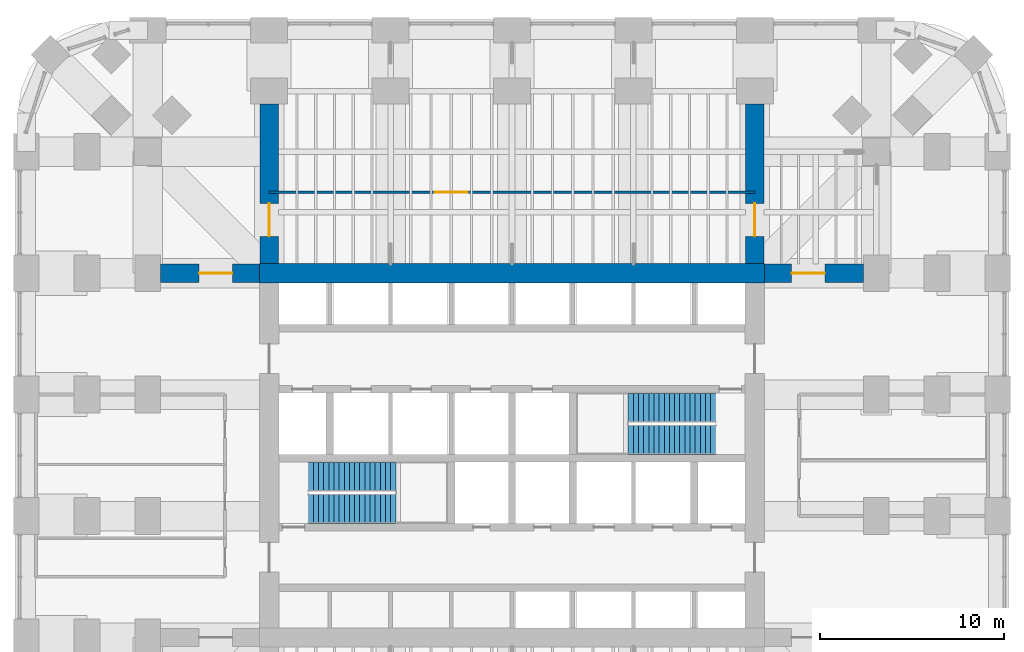
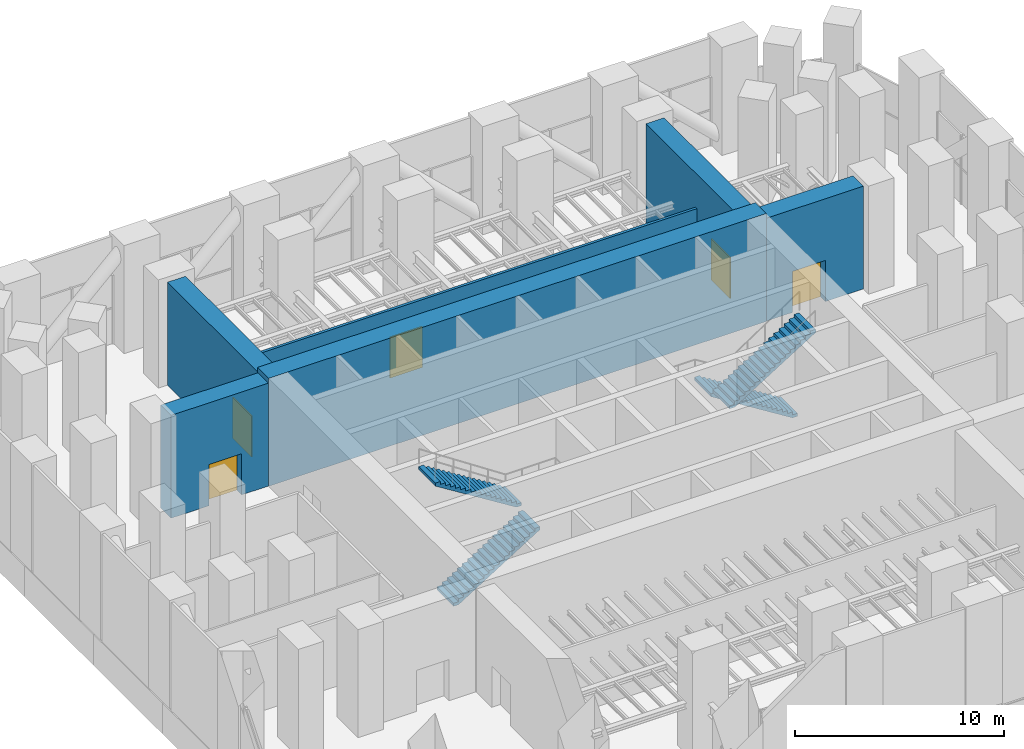
# One storey, part 15 of 17: 6 walls, 5 doors, 4 stair flights, 5 openings, 2 elements without a shape of their own.
"""IFC4 building model written with IfcOpenShell, lengths in metres."""

from ifc_helpers import new_model, si_unit, direction, frame, frame_2d, origin, place, context, subcontext, project, spatial, polyline, rectangle, outline, extrude, material, layer, layer_set, type_object, element, fill, aggregate, save


model = new_model("IFC4")

# Units and contexts
model_context = context("Model", 3, precision=1e-05, world=origin(), true_north=direction((0.0, 1.0)))
body_context = subcontext(model_context, "Body", "Model", "MODEL_VIEW")
ifc_project = project(units=[si_unit("LENGTHUNIT", "METRE"), si_unit("AREAUNIT", "SQUARE_METRE"), si_unit("VOLUMEUNIT", "CUBIC_METRE"), si_unit("PLANEANGLEUNIT", "RADIAN"), si_unit("MASSUNIT", "GRAM", prefix="KILO")], contexts=[model_context])

# Site, building, storey
site_placement = place(None, origin())
site = spatial("IfcSite", under=ifc_project, at=site_placement, CompositionType="ELEMENT")
building_placement = place(site_placement, origin())
building = spatial("IfcBuilding", under=site, at=building_placement, Name="Cobogo Forest Laboratory Tower", CompositionType="ELEMENT")
storey_placement = place(building_placement, frame((0.0, 0.0, 75.89990234375)))
storey = spatial("IfcBuildingStorey", under=building, at=storey_placement, Name="L17", CompositionType="ELEMENT", Elevation=75.89990234375)

# Wall
ifc_material_1 = material(Name="Concrete HA-50 (C50/60)", Category="concrete")
ifc_layer_1 = layer(ifc_material_1, 1.050048828125)
ifc_layer_set_1 = layer_set([ifc_layer_1], Name="CW1050 core outer wall 1050")
wall_type_1 = type_object("IfcWallType", Name="CW1050 core outer wall 1050", PredefinedType="SHEAR", material=ifc_layer_set_1)
wall_1_placement = place(storey_placement, frame((40.125, 33.0, 0.0), z_axis=(0.0, 0.0, 1.0), x_axis=(-1.0, 0.0, 0.0)))
element("IfcWall", 1, at=wall_1_placement, inside=storey, type_object=wall_type_1, Name="Core wall CO-N L17", PredefinedType="SHEAR", context=body_context, shape_type="SweptSolid", body=[
    extrude(rectangle(XDim=27.449951171875, YDim=1.050048828125, at=frame_2d((13.72509765625, 0.0))), origin(), (0.0, 0.0, 1.0), 6.300048828125),
])

# Wall, opening, door
ifc_layer_2 = layer(ifc_material_1, 1.0)
ifc_layer_set_2 = layer_set([ifc_layer_2], Name="Outrigger wall 1000")
wall_type_2 = type_object("IfcWallType", Name="Outrigger wall 1000", PredefinedType="SHEAR", material=ifc_layer_set_2)
wall_2_placement = place(storey_placement, frame((13.199951171875, 33.52490234375, 0.0), z_axis=(0.0, 0.0, 1.0), x_axis=(0.0, 1.0, 0.0)))
wall_2 = element("IfcWall", 2, at=wall_2_placement, inside=storey, type_object=wall_type_2, Name="Outrigger wall OR-N3 L17", PredefinedType="SHEAR", context=body_context, shape_type="SweptSolid", body=[
    extrude(rectangle(XDim=8.675048828125, YDim=1.0, at=frame_2d((4.33740234375, 0.0))), origin(), (0.0, 0.0, 1.0), 6.0),
])
opening_1_placement = place(wall_2_placement, frame((1.47509765625, 0.0, 0.0)))
opening_1 = element("IfcOpeningElement", 3, at=opening_1_placement, cuts=wall_2, Name="Opening L17-D21", PredefinedType="OPENING", context=body_context, shape_type="SweptSolid", body=[
    extrude(rectangle(XDim=1.800048828125, YDim=2.39990234375, at=frame_2d((0.89990234375, 1.199951171875))), frame((0.0, 0.510009765625, 0.0), z_axis=(0.0, -1.0, 0.0), x_axis=(1.0, 0.0, 0.0)), (0.0, 0.0, 1.0), 1.02001953125),
])
ifc_material_2 = material(Name="Steel fire door", Category="steel")
door_type = type_object("IfcDoorType", Name="PD1 plant door pair 1800 EI2 60", OperationType="DOUBLE_DOOR_SINGLE_SWING", PredefinedType="DOOR", material=ifc_material_2)
door_1_placement = place(opening_1_placement, origin())
door_1 = element("IfcDoor", 4, at=door_1_placement, inside=storey, type_object=door_type, Name="Door L17-OR-N3", OperationType="DOUBLE_DOOR_SINGLE_SWING", OverallHeight=2.39990234375, OverallWidth=1.800048828125, PredefinedType="DOOR", context=body_context, shape_type="SweptSolid", body=[
    extrude(rectangle(XDim=1.800048828125, YDim=2.39990234375, at=frame_2d((0.89990234375, 1.199951171875))), frame((0.0, 0.02490234375, 0.0), z_axis=(0.0, -1.0, 0.0), x_axis=(1.0, 0.0, 0.0)), (0.0, 0.0, 1.0), 0.050048828125),
])
fill(opening_1, door_1)

wall_3_placement = place(storey_placement, frame((39.60009765625, 33.52490234375, 0.0), z_axis=(0.0, 0.0, 1.0), x_axis=(0.0, 1.0, 0.0)))
wall_3 = element("IfcWall", 5, at=wall_3_placement, inside=storey, type_object=wall_type_2, Name="Outrigger wall OR-N7 L17", PredefinedType="SHEAR", context=body_context, shape_type="SweptSolid", body=[
    extrude(rectangle(XDim=8.675048828125, YDim=1.0, at=frame_2d((4.33740234375, 0.0))), origin(), (0.0, 0.0, 1.0), 6.0),
])
opening_2_placement = place(wall_3_placement, frame((1.47509765625, 0.0, 0.0)))
opening_2 = element("IfcOpeningElement", 6, at=opening_2_placement, cuts=wall_3, Name="Opening L17-D22", PredefinedType="OPENING", context=body_context, shape_type="SweptSolid", body=[
    extrude(rectangle(XDim=1.800048828125, YDim=2.39990234375, at=frame_2d((0.89990234375, 1.199951171875))), frame((0.0, 0.510009765625, 0.0), z_axis=(0.0, -1.0, 0.0), x_axis=(1.0, 0.0, 0.0)), (0.0, 0.0, 1.0), 1.02001953125),
])
door_2_placement = place(opening_2_placement, origin())
door_2 = element("IfcDoor", 7, at=door_2_placement, inside=storey, type_object=door_type, Name="Door L17-OR-N7", OperationType="DOUBLE_DOOR_SINGLE_SWING", OverallHeight=2.39990234375, OverallWidth=1.800048828125, PredefinedType="DOOR", context=body_context, shape_type="SweptSolid", body=[
    extrude(rectangle(XDim=1.800048828125, YDim=2.39990234375, at=frame_2d((0.89990234375, 1.199951171875))), frame((0.0, 0.02490234375, 0.0), z_axis=(0.0, -1.0, 0.0), x_axis=(1.0, 0.0, 0.0)), (0.0, 0.0, 1.0), 0.050048828125),
])
fill(opening_2, door_2)

wall_4_placement = place(storey_placement, frame((12.675048828125, 33.0, 0.0), z_axis=(0.0, 0.0, 1.0), x_axis=(-1.0, 0.0, 0.0)))
wall_4 = element("IfcWall", 8, at=wall_4_placement, inside=storey, type_object=wall_type_2, Name="Outrigger wall OR-WF L17", PredefinedType="SHEAR", context=body_context, shape_type="SweptSolid", body=[
    extrude(rectangle(XDim=5.375, YDim=1.0, at=frame_2d((2.6875, 0.0))), origin(), (0.0, 0.0, 1.0), 6.0),
])
opening_3_placement = place(wall_4_placement, frame((1.47509765625, 0.0, 0.0)))
opening_3 = element("IfcOpeningElement", 9, at=opening_3_placement, cuts=wall_4, Name="Opening L17-D19", PredefinedType="OPENING", context=body_context, shape_type="SweptSolid", body=[
    extrude(rectangle(XDim=1.800048828125, YDim=2.39990234375, at=frame_2d((0.89990234375, 1.199951171875))), frame((0.0, 0.510009765625, 0.0), z_axis=(0.0, -1.0, 0.0), x_axis=(1.0, 0.0, 0.0)), (0.0, 0.0, 1.0), 1.02001953125),
])
door_3_placement = place(opening_3_placement, origin())
door_3 = element("IfcDoor", 10, at=door_3_placement, inside=storey, type_object=door_type, Name="Door L17-OR-WF", OperationType="DOUBLE_DOOR_SINGLE_SWING", OverallHeight=2.39990234375, OverallWidth=1.800048828125, PredefinedType="DOOR", context=body_context, shape_type="SweptSolid", body=[
    extrude(rectangle(XDim=1.800048828125, YDim=2.39990234375, at=frame_2d((0.89990234375, 1.199951171875))), frame((0.0, 0.02490234375, 0.0), z_axis=(0.0, -1.0, 0.0), x_axis=(1.0, 0.0, 0.0)), (0.0, 0.0, 1.0), 0.050048828125),
])
fill(opening_3, door_3)

wall_5_placement = place(storey_placement, frame((40.125, 33.0, 0.0), z_axis=(0.0, 0.0, 1.0), x_axis=(1.0, 0.0, 0.0)))
wall_5 = element("IfcWall", 11, at=wall_5_placement, inside=storey, type_object=wall_type_2, Name="Outrigger wall OR-EF L17", PredefinedType="SHEAR", context=body_context, shape_type="SweptSolid", body=[
    extrude(rectangle(XDim=5.375, YDim=1.0, at=frame_2d((2.6875, 0.0))), origin(), (0.0, 0.0, 1.0), 6.0),
])
opening_4_placement = place(wall_5_placement, frame((1.47509765625, 0.0, 0.0)))
opening_4 = element("IfcOpeningElement", 12, at=opening_4_placement, cuts=wall_5, Name="Opening L17-D20", PredefinedType="OPENING", context=body_context, shape_type="SweptSolid", body=[
    extrude(rectangle(XDim=1.800048828125, YDim=2.39990234375, at=frame_2d((0.89990234375, 1.199951171875))), frame((0.0, 0.510009765625, 0.0), z_axis=(0.0, -1.0, 0.0), x_axis=(1.0, 0.0, 0.0)), (0.0, 0.0, 1.0), 1.02001953125),
])
door_4_placement = place(opening_4_placement, origin())
door_4 = element("IfcDoor", 13, at=door_4_placement, inside=storey, type_object=door_type, Name="Door L17-OR-EF", OperationType="DOUBLE_DOOR_SINGLE_SWING", OverallHeight=2.39990234375, OverallWidth=1.800048828125, PredefinedType="DOOR", context=body_context, shape_type="SweptSolid", body=[
    extrude(rectangle(XDim=1.800048828125, YDim=2.39990234375, at=frame_2d((0.89990234375, 1.199951171875))), frame((0.0, 0.02490234375, 0.0), z_axis=(0.0, -1.0, 0.0), x_axis=(1.0, 0.0, 0.0)), (0.0, 0.0, 1.0), 0.050048828125),
])
fill(opening_4, door_4)

ifc_material_3 = material(Name="Gypsum board on steel studs", Category="steel")
ifc_layer_3 = layer(ifc_material_3, 0.14990234375)
ifc_layer_set_3 = layer_set([ifc_layer_3], Name="PT1 laboratory partition 150")
wall_type_3 = type_object("IfcWallType", Name="PT1 laboratory partition 150", PredefinedType="PARTITIONING", material=ifc_layer_set_3)
wall_6_placement = place(storey_placement, frame((13.199951171875, 37.39990234375, 0.0), z_axis=(0.0, 0.0, 1.0), x_axis=(1.0, 0.0, 0.0)))
wall_6 = element("IfcWall", 14, at=wall_6_placement, inside=storey, type_object=wall_type_3, Name="Partition PL-N L17", PredefinedType="PARTITIONING", context=body_context, shape_type="SweptSolid", body=[
    extrude(rectangle(XDim=26.400146484375, YDim=0.14990234375, at=frame_2d((13.2001953125, 0.0))), origin(), (0.0, 0.0, 1.0), 4.0),
])
opening_5_placement = place(wall_6_placement, frame((9.0, 0.0, 0.0)))
opening_5 = element("IfcOpeningElement", 15, at=opening_5_placement, cuts=wall_6, Name="Opening L17-D23", PredefinedType="OPENING", context=body_context, shape_type="SweptSolid", body=[
    extrude(rectangle(XDim=1.800048828125, YDim=2.39990234375, at=frame_2d((0.89990234375, 1.199951171875))), frame((0.0, 0.0849609375, 0.0), z_axis=(0.0, -1.0, 0.0), x_axis=(1.0, 0.0, 0.0)), (0.0, 0.0, 1.0), 0.169921875),
])
door_5_placement = place(opening_5_placement, origin())
door_5 = element("IfcDoor", 16, at=door_5_placement, inside=storey, type_object=door_type, Name="Door L17-NI", OperationType="DOUBLE_DOOR_SINGLE_SWING", OverallHeight=2.39990234375, OverallWidth=1.800048828125, PredefinedType="DOOR", context=body_context, shape_type="SweptSolid", body=[
    extrude(rectangle(XDim=1.800048828125, YDim=2.39990234375, at=frame_2d((0.89990234375, 1.199951171875))), frame((0.0, 0.02490234375, 0.0), z_axis=(0.0, -1.0, 0.0), x_axis=(1.0, 0.0, 0.0)), (0.0, 0.0, 1.0), 0.050048828125),
])
fill(opening_5, door_5)

# Stair, stair flights
ifc_material_4 = material(Name="Precast concrete HA-40 (C40/50)", Category="concrete")
stair_type = type_object("IfcStairType", Name="ST36 exit stair 36 risers", PredefinedType="HALF_TURN_STAIR", material=ifc_material_4)
stair_1_placement = place(storey_placement, origin())
stair_1 = element("IfcStair", 17, at=stair_1_placement, inside=storey, type_object=stair_type, Name="Stair 1 L17 to L18", PredefinedType="HALF_TURN_STAIR")
stair_flight_type = type_object("IfcStairFlightType", Name="ST stair flight 280 going", PredefinedType="STRAIGHT", material=ifc_material_4)
stair_flight_1_placement = place(storey_placement, frame((15.324951171875, 20.199951171875, 0.0), z_axis=(0.0, 0.0, 1.0), x_axis=(1.0, 0.0, 0.0)))
stair_flight_1 = element("IfcStairFlight", 18, at=stair_flight_1_placement, type_object=stair_flight_type, Name="ST1 flight 1", NumberOfRisers=18, NumberOfTreads=17, PredefinedType="STRAIGHT", RiserHeight=0.175, TreadLength=0.28, context=body_context, shape_type="SweptSolid", body=[
    extrude(outline(polyline([(0.0, 0.0), (0.0, 0.175048828125), (0.280029296875, 0.175048828125), (0.280029296875, 0.35009765625), (0.56005859375, 0.35009765625), (0.56005859375, 0.52490234375), (0.840087890625, 0.52490234375), (0.840087890625, 0.699951171875), (1.1201171875, 0.699951171875), (1.1201171875, 0.875), (1.39990234375, 0.875), (1.39990234375, 1.050048828125), (1.679931640625, 1.050048828125), (1.679931640625, 1.22509765625), (1.9599609375, 1.22509765625), (1.9599609375, 1.39990234375), (2.239990234375, 1.39990234375), (2.239990234375, 1.574951171875), (2.52001953125, 1.574951171875), (2.52001953125, 1.75), (2.800048828125, 1.75), (2.800048828125, 1.925048828125), (3.080078125, 1.925048828125), (3.080078125, 2.10009765625), (3.360107421875, 2.10009765625), (3.360107421875, 2.27490234375), (3.639892578125, 2.27490234375), (3.639892578125, 2.449951171875), (3.919921875, 2.449951171875), (3.919921875, 2.625), (4.199951171875, 2.625), (4.199951171875, 2.800048828125), (4.47998046875, 2.800048828125), (4.47998046875, 2.97509765625), (4.760009765625, 2.97509765625), (4.760009765625, 3.14990234375), (4.760009765625, 2.79833984375), (0.28271484375, 0.0), (0.0, 0.0)])), frame((0.0, 0.800048828125, 0.0), z_axis=(0.0, -1.0, 0.0), x_axis=(1.0, 0.0, 0.0)), (0.0, 0.0, 1.0), 1.60009765625),
])
stair_flight_2_placement = place(storey_placement, frame((20.0849609375, 21.949951171875, 3.150146484375), z_axis=(0.0, 0.0, 1.0), x_axis=(-1.0, 0.0, 0.0)))
stair_flight_2 = element("IfcStairFlight", 19, at=stair_flight_2_placement, type_object=stair_flight_type, Name="ST1 flight 2", NumberOfRisers=18, NumberOfTreads=17, PredefinedType="STRAIGHT", RiserHeight=0.175, TreadLength=0.28, context=body_context, shape_type="SweptSolid", body=[
    extrude(outline(polyline([(0.0, 0.0), (0.0, 0.175048828125), (0.280029296875, 0.175048828125), (0.280029296875, 0.35009765625), (0.56005859375, 0.35009765625), (0.56005859375, 0.52490234375), (0.840087890625, 0.52490234375), (0.840087890625, 0.699951171875), (1.1201171875, 0.699951171875), (1.1201171875, 0.875), (1.39990234375, 0.875), (1.39990234375, 1.050048828125), (1.679931640625, 1.050048828125), (1.679931640625, 1.22509765625), (1.9599609375, 1.22509765625), (1.9599609375, 1.39990234375), (2.239990234375, 1.39990234375), (2.239990234375, 1.574951171875), (2.52001953125, 1.574951171875), (2.52001953125, 1.75), (2.800048828125, 1.75), (2.800048828125, 1.925048828125), (3.080078125, 1.925048828125), (3.080078125, 2.10009765625), (3.360107421875, 2.10009765625), (3.360107421875, 2.27490234375), (3.639892578125, 2.27490234375), (3.639892578125, 2.449951171875), (3.919921875, 2.449951171875), (3.919921875, 2.625), (4.199951171875, 2.625), (4.199951171875, 2.800048828125), (4.47998046875, 2.800048828125), (4.47998046875, 2.97509765625), (4.760009765625, 2.97509765625), (4.760009765625, 3.14990234375), (4.760009765625, 2.79833984375), (0.28271484375, 0.0), (0.0, 0.0)])), frame((0.0, 0.800048828125, 0.0), z_axis=(0.0, -1.0, 0.0), x_axis=(1.0, 0.0, 0.0)), (0.0, 0.0, 1.0), 1.60009765625),
])
aggregate(stair_1, [stair_flight_1, stair_flight_2])

stair_2_placement = place(storey_placement, origin())
stair_2 = element("IfcStair", 20, at=stair_2_placement, inside=storey, type_object=stair_type, Name="Stair 2 L17 to L18", PredefinedType="HALF_TURN_STAIR")
stair_flight_3_placement = place(storey_placement, frame((37.47509765625, 25.699951171875, 0.0), z_axis=(0.0, 0.0, 1.0), x_axis=(-1.0, 0.0, 0.0)))
stair_flight_3 = element("IfcStairFlight", 21, at=stair_flight_3_placement, type_object=stair_flight_type, Name="ST2 flight 1", NumberOfRisers=18, NumberOfTreads=17, PredefinedType="STRAIGHT", RiserHeight=0.175, TreadLength=0.28, context=body_context, shape_type="SweptSolid", body=[
    extrude(outline(polyline([(0.0, 0.0), (0.0, 0.175048828125), (0.280029296875, 0.175048828125), (0.280029296875, 0.35009765625), (0.56005859375, 0.35009765625), (0.56005859375, 0.52490234375), (0.840087890625, 0.52490234375), (0.840087890625, 0.699951171875), (1.1201171875, 0.699951171875), (1.1201171875, 0.875), (1.39990234375, 0.875), (1.39990234375, 1.050048828125), (1.679931640625, 1.050048828125), (1.679931640625, 1.22509765625), (1.9599609375, 1.22509765625), (1.9599609375, 1.39990234375), (2.239990234375, 1.39990234375), (2.239990234375, 1.574951171875), (2.52001953125, 1.574951171875), (2.52001953125, 1.75), (2.800048828125, 1.75), (2.800048828125, 1.925048828125), (3.080078125, 1.925048828125), (3.080078125, 2.10009765625), (3.360107421875, 2.10009765625), (3.360107421875, 2.27490234375), (3.639892578125, 2.27490234375), (3.639892578125, 2.449951171875), (3.919921875, 2.449951171875), (3.919921875, 2.625), (4.199951171875, 2.625), (4.199951171875, 2.800048828125), (4.47998046875, 2.800048828125), (4.47998046875, 2.97509765625), (4.760009765625, 2.97509765625), (4.760009765625, 3.14990234375), (4.760009765625, 2.79833984375), (0.28271484375, 0.0), (0.0, 0.0)])), frame((0.0, 0.800048828125, 0.0), z_axis=(0.0, -1.0, 0.0), x_axis=(1.0, 0.0, 0.0)), (0.0, 0.0, 1.0), 1.60009765625),
])
stair_flight_4_placement = place(storey_placement, frame((32.715087890625, 23.949951171875, 3.150146484375), z_axis=(0.0, 0.0, 1.0), x_axis=(1.0, 0.0, 0.0)))
stair_flight_4 = element("IfcStairFlight", 22, at=stair_flight_4_placement, type_object=stair_flight_type, Name="ST2 flight 2", NumberOfRisers=18, NumberOfTreads=17, PredefinedType="STRAIGHT", RiserHeight=0.175, TreadLength=0.28, context=body_context, shape_type="SweptSolid", body=[
    extrude(outline(polyline([(0.0, 0.0), (0.0, 0.175048828125), (0.280029296875, 0.175048828125), (0.280029296875, 0.35009765625), (0.56005859375, 0.35009765625), (0.56005859375, 0.52490234375), (0.840087890625, 0.52490234375), (0.840087890625, 0.699951171875), (1.1201171875, 0.699951171875), (1.1201171875, 0.875), (1.39990234375, 0.875), (1.39990234375, 1.050048828125), (1.679931640625, 1.050048828125), (1.679931640625, 1.22509765625), (1.9599609375, 1.22509765625), (1.9599609375, 1.39990234375), (2.239990234375, 1.39990234375), (2.239990234375, 1.574951171875), (2.52001953125, 1.574951171875), (2.52001953125, 1.75), (2.800048828125, 1.75), (2.800048828125, 1.925048828125), (3.080078125, 1.925048828125), (3.080078125, 2.10009765625), (3.360107421875, 2.10009765625), (3.360107421875, 2.27490234375), (3.639892578125, 2.27490234375), (3.639892578125, 2.449951171875), (3.919921875, 2.449951171875), (3.919921875, 2.625), (4.199951171875, 2.625), (4.199951171875, 2.800048828125), (4.47998046875, 2.800048828125), (4.47998046875, 2.97509765625), (4.760009765625, 2.97509765625), (4.760009765625, 3.14990234375), (4.760009765625, 2.79833984375), (0.28271484375, 0.0), (0.0, 0.0)])), frame((0.0, 0.800048828125, 0.0), z_axis=(0.0, -1.0, 0.0), x_axis=(1.0, 0.0, 0.0)), (0.0, 0.0, 1.0), 1.60009765625),
])
aggregate(stair_2, [stair_flight_3, stair_flight_4])

save(model, "model.ifc")
